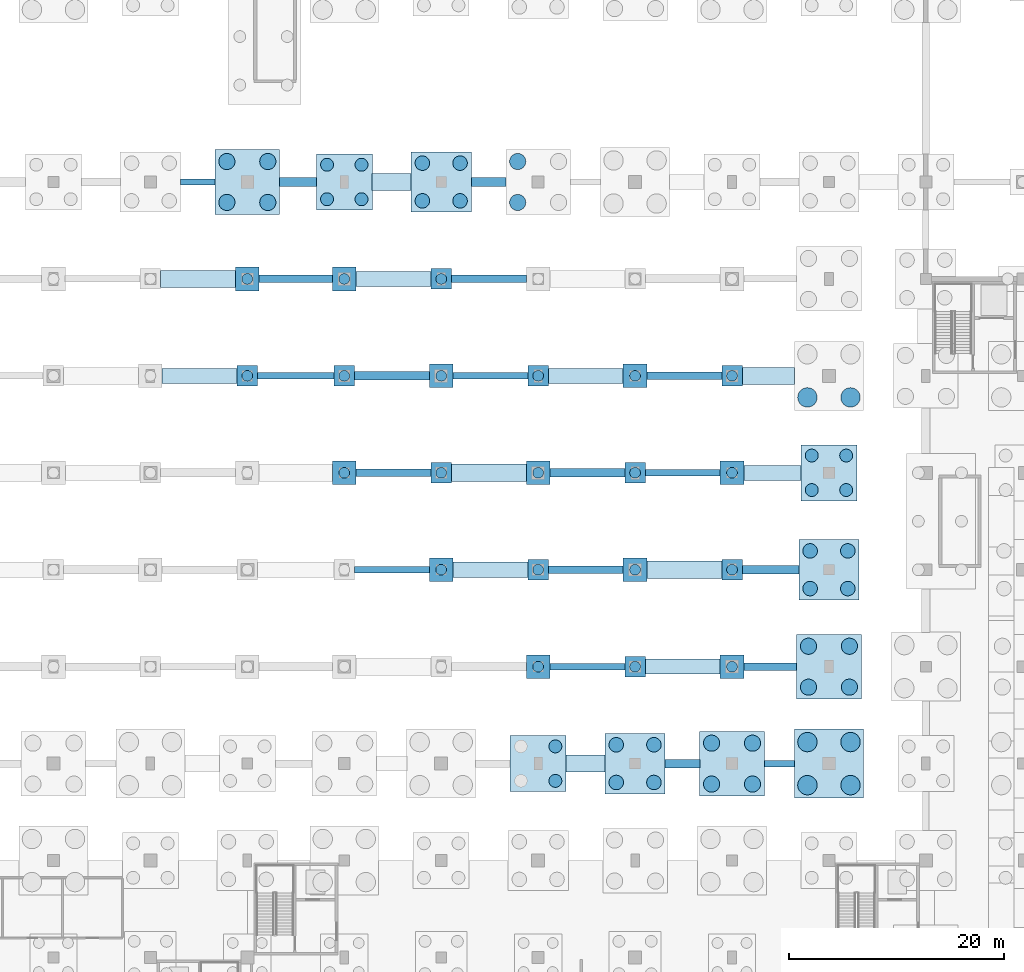
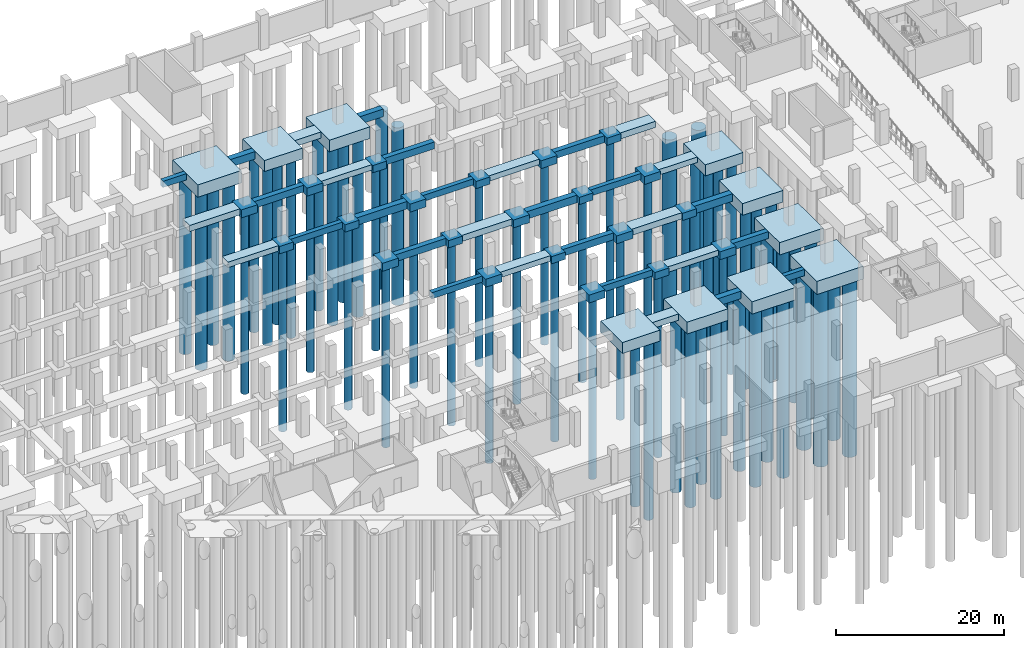
# One storey, part 6 of 37: 63 piles, 62 footings.
"""IFC4 building model written with IfcOpenShell, lengths in metres."""

from ifc_helpers import new_model, si_unit, direction, frame, origin, origin_2d, place, context, subcontext, project, spatial, rectangle, circle, extrude, material, material_profile, profile_set, type_object, element, save


model = new_model("IFC4")

# Units and contexts
model_context = context("Model", 3, precision=1e-05, world=origin(), true_north=direction((0.0, 1.0)))
body_context = subcontext(model_context, "Body", "Model", "MODEL_VIEW")
ifc_project = project(units=[si_unit("LENGTHUNIT", "METRE"), si_unit("AREAUNIT", "SQUARE_METRE"), si_unit("VOLUMEUNIT", "CUBIC_METRE"), si_unit("PLANEANGLEUNIT", "RADIAN"), si_unit("MASSUNIT", "GRAM", prefix="KILO")], contexts=[model_context])

# Site, building, storey
site_placement = place(None, origin())
site = spatial("IfcSite", under=ifc_project, at=site_placement, CompositionType="ELEMENT")
building_placement = place(site_placement, origin())
building = spatial("IfcBuilding", under=site, at=building_placement, Name="Barlavento Convention Centre", CompositionType="ELEMENT")
storey_placement = place(building_placement, frame((0.0, 0.0, -5.0)))
storey = spatial("IfcBuildingStorey", under=building, at=storey_placement, Name="B1", CompositionType="ELEMENT", Elevation=-5.0)

# Footings
ifc_material = material(Name="Concrete C40/50", Category="concrete")
footing_type_1 = type_object("IfcFootingType", Name="STR-FND-GB-600X900", PredefinedType="FOOTING_BEAM", material=ifc_material)
footing_1_placement = place(storey_placement, frame((58.39990234375, 117.0, -0.89990234375), z_axis=(0.0, 0.0, 1.0), x_axis=(1.0, 0.0, 0.0)))
element("IfcFooting", 1, at=footing_1_placement, inside=storey, type_object=footing_type_1, Name="Ground tie footing GB01", PredefinedType="FOOTING_BEAM", context=body_context, shape_type="SweptSolid", body=[
    extrude(rectangle(XDim=3.2099609375, YDim=0.60009765625, at=origin_2d()), origin(), (0.0, 0.0, 1.0), 0.89990234375),
])
footing_2_placement = place(storey_placement, frame((67.5, 99.0, -0.89990234375), z_axis=(0.0, 0.0, 1.0), x_axis=(1.0, 0.0, 0.0)))
element("IfcFooting", 2, at=footing_2_placement, inside=storey, type_object=footing_type_1, Name="Ground tie footing GB01", PredefinedType="FOOTING_BEAM", context=body_context, shape_type="SweptSolid", body=[
    extrude(rectangle(XDim=7.110107421875, YDim=0.60009765625, at=origin_2d()), origin(), (0.0, 0.0, 1.0), 0.89990234375),
])
for number, where, z_axis, x_axis, name in (
    (3, (76.425048828125, 81.0, -0.89990234375), (0.0, 0.0, 1.0), (1.0, 0.0, 0.0), "Ground tie footing GB01"),
    (4, (85.574951171875, 99.0, -0.89990234375), (0.0, 0.0, 1.0), (1.0, 0.0, 0.0), "Ground tie footing GB01"),
    (5, (94.574951171875, 72.0, -0.89990234375), (0.0, 0.0, 1.0), (1.0, 0.0, 0.0), "Ground tie footing GB01"),
    (6, (103.425048828125, 90.0, -0.89990234375), (0.0, 0.0, 1.0), (1.0, 0.0, 0.0), "Ground tie footing GB01"),
):
    element("IfcFooting", number, at=place(storey_placement, frame(where, z_axis=z_axis, x_axis=x_axis)), inside=storey, type_object=footing_type_1, Name=name, PredefinedType="FOOTING_BEAM", context=body_context, shape_type="SweptSolid", body=[
        extrude(rectangle(XDim=6.9599609375, YDim=0.60009765625, at=origin_2d()), origin(), (0.0, 0.0, 1.0), 0.89990234375),
    ])
footing_3_placement = place(storey_placement, frame((112.39990234375, 63.0, -0.89990234375), z_axis=(0.0, 0.0, 1.0), x_axis=(1.0, 0.0, 0.0)))
element("IfcFooting", 7, at=footing_3_placement, inside=storey, type_object=footing_type_1, Name="Ground tie footing GB01", PredefinedType="FOOTING_BEAM", context=body_context, shape_type="SweptSolid", body=[
    extrude(rectangle(XDim=2.81005859375, YDim=0.60009765625, at=origin_2d()), origin(), (0.0, 0.0, 1.0), 0.89990234375),
])
footing_type_2 = type_object("IfcFootingType", Name="STR-FND-GB-700X1000", PredefinedType="FOOTING_BEAM", material=ifc_material)
footing_4_placement = place(storey_placement, frame((67.5, 108.0, -1.0), z_axis=(0.0, 0.0, 1.0), x_axis=(1.0, 0.0, 0.0)))
element("IfcFooting", 8, at=footing_4_placement, inside=storey, type_object=footing_type_2, Name="Ground tie footing GB02", PredefinedType="FOOTING_BEAM", context=body_context, shape_type="SweptSolid", body=[
    extrude(rectangle(XDim=6.81005859375, YDim=0.699951171875, at=origin_2d()), origin(), (0.0, 0.0, 1.0), 1.0),
])
for number, where, z_axis, x_axis, name in (
    (9, (76.574951171875, 90.0, -1.0), (0.0, 0.0, 1.0), (1.0, 0.0, 0.0), "Ground tie footing GB02"),
    (10, (85.425048828125, 108.0, -1.0), (0.0, 0.0, 1.0), (1.0, 0.0, 0.0), "Ground tie footing GB02"),
    (11, (94.425048828125, 81.0, -1.0), (0.0, 0.0, 1.0), (1.0, 0.0, 0.0), "Ground tie footing GB02"),
    (12, (103.574951171875, 99.0, -1.0), (0.0, 0.0, 1.0), (1.0, 0.0, 0.0), "Ground tie footing GB02"),
):
    element("IfcFooting", number, at=place(storey_placement, frame(where, z_axis=z_axis, x_axis=x_axis)), inside=storey, type_object=footing_type_2, Name=name, PredefinedType="FOOTING_BEAM", context=body_context, shape_type="SweptSolid", body=[
        extrude(rectangle(XDim=6.9599609375, YDim=0.699951171875, at=origin_2d()), origin(), (0.0, 0.0, 1.0), 1.0),
    ])
footing_5_placement = place(storey_placement, frame((111.550048828125, 72.0, -1.0), z_axis=(0.0, 0.0, 1.0), x_axis=(1.0, 0.0, 0.0)))
element("IfcFooting", 13, at=footing_5_placement, inside=storey, type_object=footing_type_2, Name="Ground tie footing GB02", PredefinedType="FOOTING_BEAM", context=body_context, shape_type="SweptSolid", body=[
    extrude(rectangle(XDim=4.909912109375, YDim=0.699951171875, at=origin_2d()), origin(), (0.0, 0.0, 1.0), 1.0),
])
footing_type_3 = type_object("IfcFootingType", Name="STR-FND-GB-800X1100", PredefinedType="FOOTING_BEAM", material=ifc_material)
footing_6_placement = place(storey_placement, frame((67.699951171875, 117.0, -1.10009765625), z_axis=(0.0, 0.0, 1.0), x_axis=(1.0, 0.0, 0.0)))
element("IfcFooting", 14, at=footing_6_placement, inside=storey, type_object=footing_type_3, Name="Ground tie footing GB03", PredefinedType="FOOTING_BEAM", context=body_context, shape_type="SweptSolid", body=[
    extrude(rectangle(XDim=3.409912109375, YDim=0.800048828125, at=origin_2d()), origin(), (0.0, 0.0, 1.0), 1.10009765625),
])
footing_7_placement = place(storey_placement, frame((76.425048828125, 99.0, -1.10009765625), z_axis=(0.0, 0.0, 1.0), x_axis=(1.0, 0.0, 0.0)))
element("IfcFooting", 15, at=footing_7_placement, inside=storey, type_object=footing_type_3, Name="Ground tie footing GB03", PredefinedType="FOOTING_BEAM", context=body_context, shape_type="SweptSolid", body=[
    extrude(rectangle(XDim=6.9599609375, YDim=0.800048828125, at=origin_2d()), origin(), (0.0, 0.0, 1.0), 1.10009765625),
])
footing_8_placement = place(storey_placement, frame((85.39990234375, 117.0, -1.10009765625), z_axis=(0.0, 0.0, 1.0), x_axis=(1.0, 0.0, 0.0)))
element("IfcFooting", 16, at=footing_8_placement, inside=storey, type_object=footing_type_3, Name="Ground tie footing GB03", PredefinedType="FOOTING_BEAM", context=body_context, shape_type="SweptSolid", body=[
    extrude(rectangle(XDim=3.2099609375, YDim=0.800048828125, at=origin_2d()), origin(), (0.0, 0.0, 1.0), 1.10009765625),
])
footing_9_placement = place(storey_placement, frame((94.574951171875, 90.0, -1.10009765625), z_axis=(0.0, 0.0, 1.0), x_axis=(1.0, 0.0, 0.0)))
element("IfcFooting", 17, at=footing_9_placement, inside=storey, type_object=footing_type_3, Name="Ground tie footing GB03", PredefinedType="FOOTING_BEAM", context=body_context, shape_type="SweptSolid", body=[
    extrude(rectangle(XDim=6.9599609375, YDim=0.800048828125, at=origin_2d()), origin(), (0.0, 0.0, 1.0), 1.10009765625),
])
footing_10_placement = place(storey_placement, frame((103.39990234375, 63.0, -1.10009765625), z_axis=(0.0, 0.0, 1.0), x_axis=(1.0, 0.0, 0.0)))
element("IfcFooting", 18, at=footing_10_placement, inside=storey, type_object=footing_type_3, Name="Ground tie footing GB03", PredefinedType="FOOTING_BEAM", context=body_context, shape_type="SweptSolid", body=[
    extrude(rectangle(XDim=3.2099609375, YDim=0.800048828125, at=origin_2d()), origin(), (0.0, 0.0, 1.0), 1.10009765625),
])
footing_11_placement = place(storey_placement, frame((111.574951171875, 81.0, -1.10009765625), z_axis=(0.0, 0.0, 1.0), x_axis=(1.0, 0.0, 0.0)))
element("IfcFooting", 19, at=footing_11_placement, inside=storey, type_object=footing_type_3, Name="Ground tie footing GB03", PredefinedType="FOOTING_BEAM", context=body_context, shape_type="SweptSolid", body=[
    extrude(rectangle(XDim=5.260009765625, YDim=0.800048828125, at=origin_2d()), origin(), (0.0, 0.0, 1.0), 1.10009765625),
])
footing_type_4 = type_object("IfcFootingType", Name="STR-FND-PC1-1900", PredefinedType="PILE_CAP", material=ifc_material)
for number, where, z_axis, x_axis, name in (
    (20, (63.0, 99.0, -1.0498046875), (0.0, 0.0, 1.0), (1.0, 0.0, 0.0), "Pile cap PC01 at 8-M"),
    (21, (72.0, 99.0, -1.0498046875), (0.0, 0.0, 1.0), (1.0, 0.0, 0.0), "Pile cap PC01 at 9-M"),
    (22, (81.0, 90.0, -1.0498046875), (0.0, 0.0, 1.0), (1.0, 0.0, 0.0), "Pile cap PC01 at 10-L"),
    (23, (81.0, 108.0, -1.0498046875), (0.0, 0.0, 1.0), (1.0, 0.0, 0.0), "Pile cap PC01 at 10-N"),
    (24, (90.0, 81.0, -1.0498046875), (0.0, 0.0, 1.0), (1.0, 0.0, 0.0), "Pile cap PC01 at 11-K"),
    (25, (90.0, 99.0, -1.0498046875), (0.0, 0.0, 1.0), (1.0, 0.0, 0.0), "Pile cap PC01 at 11-M"),
    (26, (99.0, 72.0, -1.0498046875), (0.0, 0.0, 1.0), (1.0, 0.0, 0.0), "Pile cap PC01 at 12-J"),
    (27, (99.0, 90.0, -1.0498046875), (0.0, 0.0, 1.0), (1.0, 0.0, 0.0), "Pile cap PC01 at 12-L"),
    (28, (108.0, 81.0, -1.0498046875), (0.0, 0.0, 1.0), (1.0, 0.0, 0.0), "Pile cap PC01 at 13-K"),
    (29, (108.0, 99.0, -1.0498046875), (0.0, 0.0, 1.0), (1.0, 0.0, 0.0), "Pile cap PC01 at 13-M"),
):
    element("IfcFooting", number, at=place(storey_placement, frame(where, z_axis=z_axis, x_axis=x_axis)), inside=storey, type_object=footing_type_4, Name=name, PredefinedType="PILE_CAP", context=body_context, shape_type="SweptSolid", body=[
        extrude(rectangle(XDim=1.89990234375, YDim=1.89990234375, at=origin_2d()), origin(), (0.0, 0.0, 1.0), 1.050048828125),
    ])
footing_type_5 = type_object("IfcFootingType", Name="STR-FND-PC1-2200", PredefinedType="PILE_CAP", material=ifc_material)
for number, where, z_axis, x_axis, name in (
    (30, (63.0, 108.0, -1.14990234375), (0.0, 0.0, 1.0), (1.0, 0.0, 0.0), "Pile cap PC02 at 8-N"),
    (31, (72.0, 90.0, -1.14990234375), (0.0, 0.0, 1.0), (1.0, 0.0, 0.0), "Pile cap PC02 at 9-L"),
    (32, (72.0, 108.0, -1.14990234375), (0.0, 0.0, 1.0), (1.0, 0.0, 0.0), "Pile cap PC02 at 9-N"),
    (33, (81.0, 81.0, -1.14990234375), (0.0, 0.0, 1.0), (1.0, 0.0, 0.0), "Pile cap PC02 at 10-K"),
    (34, (81.0, 99.0, -1.14990234375), (0.0, 0.0, 1.0), (1.0, 0.0, 0.0), "Pile cap PC02 at 10-M"),
    (35, (90.0, 72.0, -1.14990234375), (0.0, 0.0, 1.0), (1.0, 0.0, 0.0), "Pile cap PC02 at 11-J"),
    (36, (90.0, 90.0, -1.14990234375), (0.0, 0.0, 1.0), (1.0, 0.0, 0.0), "Pile cap PC02 at 11-L"),
    (37, (99.0, 81.0, -1.14990234375), (0.0, 0.0, 1.0), (1.0, 0.0, 0.0), "Pile cap PC02 at 12-K"),
    (38, (99.0, 99.0, -1.14990234375), (0.0, 0.0, 1.0), (1.0, 0.0, 0.0), "Pile cap PC02 at 12-M"),
    (39, (108.0, 72.0, -1.14990234375), (0.0, 0.0, 1.0), (1.0, 0.0, 0.0), "Pile cap PC02 at 13-J"),
    (40, (108.0, 90.0, -1.14990234375), (0.0, 0.0, 1.0), (1.0, 0.0, 0.0), "Pile cap PC02 at 13-L"),
):
    element("IfcFooting", number, at=place(storey_placement, frame(where, z_axis=z_axis, x_axis=x_axis)), inside=storey, type_object=footing_type_5, Name=name, PredefinedType="PILE_CAP", context=body_context, shape_type="SweptSolid", body=[
        extrude(rectangle(XDim=2.199951171875, YDim=2.199951171875, at=origin_2d()), origin(), (0.0, 0.0, 1.0), 1.14990234375),
    ])
footing_type_6 = type_object("IfcFootingType", Name="STR-FND-PC4-5200", PredefinedType="PILE_CAP", material=ifc_material)
for number, where, z_axis, x_axis, name in (
    (41, (72.0, 117.0, -1.60009765625), (0.0, 0.0, 1.0), (1.0, 0.0, 0.0), "Pile cap PC09 at 9-P"),
    (42, (90.0, 63.0, -1.60009765625), (0.0, 0.0, 1.0), (1.0, 0.0, 0.0), "Pile cap PC09 at 11-H"),
    (43, (117.0, 90.0, -1.60009765625), (0.0, 0.0, 1.0), (1.0, 0.0, 0.0), "Pile cap PC09 at 14-L"),
):
    element("IfcFooting", number, at=place(storey_placement, frame(where, z_axis=z_axis, x_axis=x_axis)), inside=storey, type_object=footing_type_6, Name=name, PredefinedType="PILE_CAP", context=body_context, shape_type="SweptSolid", body=[
        extrude(rectangle(XDim=5.199951171875, YDim=5.199951171875, at=origin_2d()), origin(), (0.0, 0.0, 1.0), 1.60009765625),
    ])
footing_type_7 = type_object("IfcFootingType", Name="STR-FND-PC4-5600", PredefinedType="PILE_CAP", material=ifc_material)
for number, where, z_axis, x_axis, name in (
    (44, (81.0, 117.0, -1.7001953125), (0.0, 0.0, 1.0), (1.0, 0.0, 0.0), "Pile cap PC10 at 10-P"),
    (45, (99.0, 63.0, -1.7001953125), (0.0, 0.0, 1.0), (1.0, 0.0, 0.0), "Pile cap PC10 at 12-H"),
    (46, (117.0, 81.0, -1.7001953125), (0.0, 0.0, 1.0), (1.0, 0.0, 0.0), "Pile cap PC10 at 14-K"),
):
    element("IfcFooting", number, at=place(storey_placement, frame(where, z_axis=z_axis, x_axis=x_axis)), inside=storey, type_object=footing_type_7, Name=name, PredefinedType="PILE_CAP", context=body_context, shape_type="SweptSolid", body=[
        extrude(rectangle(XDim=5.60009765625, YDim=5.60009765625, at=origin_2d()), origin(), (0.0, 0.0, 1.0), 1.699951171875),
    ])
footing_type_8 = type_object("IfcFootingType", Name="STR-FND-PC4-6000", PredefinedType="PILE_CAP", material=ifc_material)
for number, where, z_axis, x_axis, name in (
    (47, (63.0, 117.0, -1.7998046875), (0.0, 0.0, 1.0), (1.0, 0.0, 0.0), "Pile cap PC11 at 8-P"),
    (48, (108.0, 63.0, -1.7998046875), (0.0, 0.0, 1.0), (1.0, 0.0, 0.0), "Pile cap PC11 at 13-H"),
    (49, (117.0, 72.0, -1.7998046875), (0.0, 0.0, 1.0), (1.0, 0.0, 0.0), "Pile cap PC11 at 14-J"),
):
    element("IfcFooting", number, at=place(storey_placement, frame(where, z_axis=z_axis, x_axis=x_axis)), inside=storey, type_object=footing_type_8, Name=name, PredefinedType="PILE_CAP", context=body_context, shape_type="SweptSolid", body=[
        extrude(rectangle(XDim=6.0, YDim=6.0, at=origin_2d()), origin(), (0.0, 0.0, 1.0), 1.800048828125),
    ])
footing_type_9 = type_object("IfcFootingType", Name="STR-FND-PC4-6400", PredefinedType="PILE_CAP", material=ifc_material)
footing_12_placement = place(storey_placement, frame((117.0, 63.0, -1.89990234375), z_axis=(0.0, 0.0, 1.0), x_axis=(1.0, 0.0, 0.0)))
element("IfcFooting", 50, at=footing_12_placement, inside=storey, type_object=footing_type_9, Name="Pile cap PC12 at 14-H", PredefinedType="PILE_CAP", context=body_context, shape_type="SweptSolid", body=[
    extrude(rectangle(XDim=6.39990234375, YDim=6.39990234375, at=origin_2d()), origin(), (0.0, 0.0, 1.0), 1.89990234375),
])
footing_type_10 = type_object("IfcFootingType", Name="STR-FND-SF-1400X800", PredefinedType="STRIP_FOOTING", material=ifc_material)
for number, where, z_axis, x_axis, name in (
    (51, (58.574951171875, 99.0, -0.7998046875), (0.0, 0.0, 1.0), (1.0, 0.0, 0.0), "Ground tie footing SF01"),
    (52, (76.574951171875, 108.0, -0.7998046875), (0.0, 0.0, 1.0), (1.0, 0.0, 0.0), "Ground tie footing SF01"),
    (53, (85.574951171875, 81.0, -0.7998046875), (0.0, 0.0, 1.0), (1.0, 0.0, 0.0), "Ground tie footing SF01"),
    (54, (94.425048828125, 99.0, -0.7998046875), (0.0, 0.0, 1.0), (1.0, 0.0, 0.0), "Ground tie footing SF01"),
    (55, (103.425048828125, 72.0, -0.7998046875), (0.0, 0.0, 1.0), (1.0, 0.0, 0.0), "Ground tie footing SF01"),
):
    element("IfcFooting", number, at=place(storey_placement, frame(where, z_axis=z_axis, x_axis=x_axis)), inside=storey, type_object=footing_type_10, Name=name, PredefinedType="STRIP_FOOTING", context=body_context, shape_type="SweptSolid", body=[
        extrude(rectangle(XDim=6.9599609375, YDim=1.39990234375, at=origin_2d()), origin(), (0.0, 0.0, 1.0), 0.800048828125),
    ])
footing_13_placement = place(storey_placement, frame((111.75, 90.0, -0.7998046875), z_axis=(0.0, 0.0, 1.0), x_axis=(1.0, 0.0, 0.0)))
element("IfcFooting", 56, at=footing_13_placement, inside=storey, type_object=footing_type_10, Name="Ground tie footing SF01", PredefinedType="STRIP_FOOTING", context=body_context, shape_type="SweptSolid", body=[
    extrude(rectangle(XDim=5.31005859375, YDim=1.39990234375, at=origin_2d()), origin(), (0.0, 0.0, 1.0), 0.800048828125),
])
footing_type_11 = type_object("IfcFootingType", Name="STR-FND-SF-1600X900", PredefinedType="STRIP_FOOTING", material=ifc_material)
footing_14_placement = place(storey_placement, frame((58.425048828125, 108.0, -0.89990234375), z_axis=(0.0, 0.0, 1.0), x_axis=(1.0, 0.0, 0.0)))
element("IfcFooting", 57, at=footing_14_placement, inside=storey, type_object=footing_type_11, Name="Ground tie footing SF02", PredefinedType="STRIP_FOOTING", context=body_context, shape_type="SweptSolid", body=[
    extrude(rectangle(XDim=6.9599609375, YDim=1.60009765625, at=origin_2d()), origin(), (0.0, 0.0, 1.0), 0.89990234375),
])
footing_15_placement = place(storey_placement, frame((76.39990234375, 117.0, -0.89990234375), z_axis=(0.0, 0.0, 1.0), x_axis=(1.0, 0.0, 0.0)))
element("IfcFooting", 58, at=footing_15_placement, inside=storey, type_object=footing_type_11, Name="Ground tie footing SF02", PredefinedType="STRIP_FOOTING", context=body_context, shape_type="SweptSolid", body=[
    extrude(rectangle(XDim=3.610107421875, YDim=1.60009765625, at=origin_2d()), origin(), (0.0, 0.0, 1.0), 0.89990234375),
])
footing_16_placement = place(storey_placement, frame((85.425048828125, 90.0, -0.89990234375), z_axis=(0.0, 0.0, 1.0), x_axis=(1.0, 0.0, 0.0)))
element("IfcFooting", 59, at=footing_16_placement, inside=storey, type_object=footing_type_11, Name="Ground tie footing SF02", PredefinedType="STRIP_FOOTING", context=body_context, shape_type="SweptSolid", body=[
    extrude(rectangle(XDim=6.9599609375, YDim=1.60009765625, at=origin_2d()), origin(), (0.0, 0.0, 1.0), 0.89990234375),
])
footing_17_placement = place(storey_placement, frame((94.39990234375, 63.0, -0.89990234375), z_axis=(0.0, 0.0, 1.0), x_axis=(1.0, 0.0, 0.0)))
element("IfcFooting", 60, at=footing_17_placement, inside=storey, type_object=footing_type_11, Name="Ground tie footing SF02", PredefinedType="STRIP_FOOTING", context=body_context, shape_type="SweptSolid", body=[
    extrude(rectangle(XDim=3.610107421875, YDim=1.60009765625, at=origin_2d()), origin(), (0.0, 0.0, 1.0), 0.89990234375),
])
footing_18_placement = place(storey_placement, frame((103.574951171875, 81.0, -0.89990234375), z_axis=(0.0, 0.0, 1.0), x_axis=(1.0, 0.0, 0.0)))
element("IfcFooting", 61, at=footing_18_placement, inside=storey, type_object=footing_type_11, Name="Ground tie footing SF02", PredefinedType="STRIP_FOOTING", context=body_context, shape_type="SweptSolid", body=[
    extrude(rectangle(XDim=6.9599609375, YDim=1.60009765625, at=origin_2d()), origin(), (0.0, 0.0, 1.0), 0.89990234375),
])
footing_19_placement = place(storey_placement, frame((111.375, 99.0, -0.89990234375), z_axis=(0.0, 0.0, 1.0), x_axis=(1.0, 0.0, 0.0)))
element("IfcFooting", 62, at=footing_19_placement, inside=storey, type_object=footing_type_11, Name="Ground tie footing SF02", PredefinedType="STRIP_FOOTING", context=body_context, shape_type="SweptSolid", body=[
    extrude(rectangle(XDim=4.860107421875, YDim=1.60009765625, at=origin_2d()), origin(), (0.0, 0.0, 1.0), 0.89990234375),
])

# Piles
ifc_material_profile_1 = material_profile(ifc_material, circle(Radius=0.5, at=origin_2d()), Name="BORED PILE 1000")
ifc_profile_set_1 = profile_set([ifc_material_profile_1], Name="Concrete C40/50")
pile_type_1 = type_object("IfcPileType", Name="STR-PIL-B1000", PredefinedType="BORED", material=ifc_profile_set_1)
pile_1_placement = place(storey_placement, frame((63.0, 99.0, -0.949951171875), z_axis=(0.0, 0.0, -1.0), x_axis=(1.0, 0.0, 0.0)))
element("IfcPile", 63, at=pile_1_placement, inside=storey, type_object=pile_type_1, Name="Bored pile P10 under FND-CAP-0115", PredefinedType="BORED", context=body_context, shape_type="SweptSolid", body=[
    extrude(circle(Radius=0.5, at=origin_2d()), origin(), (0.0, 0.0, 1.0), 26.550048828125),
])
for number, where, z_axis, x_axis, name in (
    (64, (63.0, 108.0, -1.050048828125), (0.0, 0.0, -1.0), (1.0, 0.0, 0.0), "Bored pile P10 under FND-CAP-0116"),
    (65, (72.0, 90.0, -1.050048828125), (0.0, 0.0, -1.0), (1.0, 0.0, 0.0), "Bored pile P10 under FND-CAP-0124"),
):
    element("IfcPile", number, at=place(storey_placement, frame(where, z_axis=z_axis, x_axis=x_axis)), inside=storey, type_object=pile_type_1, Name=name, PredefinedType="BORED", context=body_context, shape_type="SweptSolid", body=[
        extrude(circle(Radius=0.5, at=origin_2d()), origin(), (0.0, 0.0, 1.0), 26.449951171875),
    ])
pile_2_placement = place(storey_placement, frame((72.0, 99.0, -0.949951171875), z_axis=(0.0, 0.0, -1.0), x_axis=(1.0, 0.0, 0.0)))
element("IfcPile", 66, at=pile_2_placement, inside=storey, type_object=pile_type_1, Name="Bored pile P10 under FND-CAP-0125", PredefinedType="BORED", context=body_context, shape_type="SweptSolid", body=[
    extrude(circle(Radius=0.5, at=origin_2d()), origin(), (0.0, 0.0, 1.0), 26.550048828125),
])
for number, where, z_axis, x_axis, name in (
    (67, (72.0, 108.0, -1.050048828125), (0.0, 0.0, -1.0), (1.0, 0.0, 0.0), "Bored pile P10 under FND-CAP-0126"),
    (68, (81.0, 81.0, -1.050048828125), (0.0, 0.0, -1.0), (1.0, 0.0, 0.0), "Bored pile P10 under FND-CAP-0134"),
):
    element("IfcPile", number, at=place(storey_placement, frame(where, z_axis=z_axis, x_axis=x_axis)), inside=storey, type_object=pile_type_1, Name=name, PredefinedType="BORED", context=body_context, shape_type="SweptSolid", body=[
        extrude(circle(Radius=0.5, at=origin_2d()), origin(), (0.0, 0.0, 1.0), 26.449951171875),
    ])
pile_3_placement = place(storey_placement, frame((81.0, 90.0, -0.949951171875), z_axis=(0.0, 0.0, -1.0), x_axis=(1.0, 0.0, 0.0)))
element("IfcPile", 69, at=pile_3_placement, inside=storey, type_object=pile_type_1, Name="Bored pile P10 under FND-CAP-0135", PredefinedType="BORED", context=body_context, shape_type="SweptSolid", body=[
    extrude(circle(Radius=0.5, at=origin_2d()), origin(), (0.0, 0.0, 1.0), 26.550048828125),
])
pile_4_placement = place(storey_placement, frame((81.0, 99.0, -1.050048828125), z_axis=(0.0, 0.0, -1.0), x_axis=(1.0, 0.0, 0.0)))
element("IfcPile", 70, at=pile_4_placement, inside=storey, type_object=pile_type_1, Name="Bored pile P10 under FND-CAP-0136", PredefinedType="BORED", context=body_context, shape_type="SweptSolid", body=[
    extrude(circle(Radius=0.5, at=origin_2d()), origin(), (0.0, 0.0, 1.0), 26.449951171875),
])
pile_5_placement = place(storey_placement, frame((81.0, 108.0, -0.949951171875), z_axis=(0.0, 0.0, -1.0), x_axis=(1.0, 0.0, 0.0)))
element("IfcPile", 71, at=pile_5_placement, inside=storey, type_object=pile_type_1, Name="Bored pile P10 under FND-CAP-0137", PredefinedType="BORED", context=body_context, shape_type="SweptSolid", body=[
    extrude(circle(Radius=0.5, at=origin_2d()), origin(), (0.0, 0.0, 1.0), 26.550048828125),
])
pile_6_placement = place(storey_placement, frame((90.0, 72.0, -1.050048828125), z_axis=(0.0, 0.0, -1.0), x_axis=(1.0, 0.0, 0.0)))
element("IfcPile", 72, at=pile_6_placement, inside=storey, type_object=pile_type_1, Name="Bored pile P10 under FND-CAP-0144", PredefinedType="BORED", context=body_context, shape_type="SweptSolid", body=[
    extrude(circle(Radius=0.5, at=origin_2d()), origin(), (0.0, 0.0, 1.0), 26.449951171875),
])
pile_7_placement = place(storey_placement, frame((90.0, 81.0, -0.949951171875), z_axis=(0.0, 0.0, -1.0), x_axis=(1.0, 0.0, 0.0)))
element("IfcPile", 73, at=pile_7_placement, inside=storey, type_object=pile_type_1, Name="Bored pile P10 under FND-CAP-0145", PredefinedType="BORED", context=body_context, shape_type="SweptSolid", body=[
    extrude(circle(Radius=0.5, at=origin_2d()), origin(), (0.0, 0.0, 1.0), 26.550048828125),
])
pile_8_placement = place(storey_placement, frame((90.0, 90.0, -1.050048828125), z_axis=(0.0, 0.0, -1.0), x_axis=(1.0, 0.0, 0.0)))
element("IfcPile", 74, at=pile_8_placement, inside=storey, type_object=pile_type_1, Name="Bored pile P10 under FND-CAP-0146", PredefinedType="BORED", context=body_context, shape_type="SweptSolid", body=[
    extrude(circle(Radius=0.5, at=origin_2d()), origin(), (0.0, 0.0, 1.0), 26.449951171875),
])
for number, where, z_axis, x_axis, name in (
    (75, (90.0, 99.0, -0.949951171875), (0.0, 0.0, -1.0), (1.0, 0.0, 0.0), "Bored pile P10 under FND-CAP-0147"),
    (76, (99.0, 72.0, -0.949951171875), (0.0, 0.0, -1.0), (1.0, 0.0, 0.0), "Bored pile P10 under FND-CAP-0155"),
):
    element("IfcPile", number, at=place(storey_placement, frame(where, z_axis=z_axis, x_axis=x_axis)), inside=storey, type_object=pile_type_1, Name=name, PredefinedType="BORED", context=body_context, shape_type="SweptSolid", body=[
        extrude(circle(Radius=0.5, at=origin_2d()), origin(), (0.0, 0.0, 1.0), 26.550048828125),
    ])
pile_9_placement = place(storey_placement, frame((99.0, 81.0, -1.050048828125), z_axis=(0.0, 0.0, -1.0), x_axis=(1.0, 0.0, 0.0)))
element("IfcPile", 77, at=pile_9_placement, inside=storey, type_object=pile_type_1, Name="Bored pile P10 under FND-CAP-0156", PredefinedType="BORED", context=body_context, shape_type="SweptSolid", body=[
    extrude(circle(Radius=0.5, at=origin_2d()), origin(), (0.0, 0.0, 1.0), 26.449951171875),
])
pile_10_placement = place(storey_placement, frame((99.0, 90.0, -0.949951171875), z_axis=(0.0, 0.0, -1.0), x_axis=(1.0, 0.0, 0.0)))
element("IfcPile", 78, at=pile_10_placement, inside=storey, type_object=pile_type_1, Name="Bored pile P10 under FND-CAP-0157", PredefinedType="BORED", context=body_context, shape_type="SweptSolid", body=[
    extrude(circle(Radius=0.5, at=origin_2d()), origin(), (0.0, 0.0, 1.0), 26.550048828125),
])
for number, where, z_axis, x_axis, name in (
    (79, (99.0, 99.0, -1.050048828125), (0.0, 0.0, -1.0), (1.0, 0.0, 0.0), "Bored pile P10 under FND-CAP-0158"),
    (80, (108.0, 72.0, -1.050048828125), (0.0, 0.0, -1.0), (1.0, 0.0, 0.0), "Bored pile P10 under FND-CAP-0166"),
):
    element("IfcPile", number, at=place(storey_placement, frame(where, z_axis=z_axis, x_axis=x_axis)), inside=storey, type_object=pile_type_1, Name=name, PredefinedType="BORED", context=body_context, shape_type="SweptSolid", body=[
        extrude(circle(Radius=0.5, at=origin_2d()), origin(), (0.0, 0.0, 1.0), 26.449951171875),
    ])
pile_11_placement = place(storey_placement, frame((108.0, 81.0, -0.949951171875), z_axis=(0.0, 0.0, -1.0), x_axis=(1.0, 0.0, 0.0)))
element("IfcPile", 81, at=pile_11_placement, inside=storey, type_object=pile_type_1, Name="Bored pile P10 under FND-CAP-0167", PredefinedType="BORED", context=body_context, shape_type="SweptSolid", body=[
    extrude(circle(Radius=0.5, at=origin_2d()), origin(), (0.0, 0.0, 1.0), 26.550048828125),
])
pile_12_placement = place(storey_placement, frame((108.0, 90.0, -1.050048828125), z_axis=(0.0, 0.0, -1.0), x_axis=(1.0, 0.0, 0.0)))
element("IfcPile", 82, at=pile_12_placement, inside=storey, type_object=pile_type_1, Name="Bored pile P10 under FND-CAP-0168", PredefinedType="BORED", context=body_context, shape_type="SweptSolid", body=[
    extrude(circle(Radius=0.5, at=origin_2d()), origin(), (0.0, 0.0, 1.0), 26.449951171875),
])
pile_13_placement = place(storey_placement, frame((108.0, 99.0, -0.949951171875), z_axis=(0.0, 0.0, -1.0), x_axis=(1.0, 0.0, 0.0)))
element("IfcPile", 83, at=pile_13_placement, inside=storey, type_object=pile_type_1, Name="Bored pile P10 under FND-CAP-0169", PredefinedType="BORED", context=body_context, shape_type="SweptSolid", body=[
    extrude(circle(Radius=0.5, at=origin_2d()), origin(), (0.0, 0.0, 1.0), 26.550048828125),
])
ifc_material_profile_2 = material_profile(ifc_material, circle(Radius=0.60009765625, at=origin_2d()), Name="BORED PILE 1200")
ifc_profile_set_2 = profile_set([ifc_material_profile_2], Name="Concrete C40/50")
pile_type_2 = type_object("IfcPileType", Name="STR-PIL-B1200", PredefinedType="BORED", material=ifc_profile_set_2)
for number, where, z_axis, x_axis, name in (
    (84, (70.39990234375, 115.39990234375, -1.5), (0.0, 0.0, -1.0), (1.0, 0.0, 0.0), "Bored pile P12 under FND-CAP-0127"),
    (85, (73.60009765625, 115.39990234375, -1.5), (0.0, 0.0, -1.0), (1.0, 0.0, 0.0), "Bored pile P12 under FND-CAP-0127"),
    (86, (70.39990234375, 118.60009765625, -1.5), (0.0, 0.0, -1.0), (1.0, 0.0, 0.0), "Bored pile P12 under FND-CAP-0127"),
    (87, (73.60009765625, 118.60009765625, -1.5), (0.0, 0.0, -1.0), (1.0, 0.0, 0.0), "Bored pile P12 under FND-CAP-0127"),
    (88, (91.60009765625, 61.39990234375, -1.5), (0.0, 0.0, -1.0), (1.0, 0.0, 0.0), "Bored pile P12 under FND-CAP-0143"),
    (89, (91.60009765625, 64.60009765625, -1.5), (0.0, 0.0, -1.0), (1.0, 0.0, 0.0), "Bored pile P12 under FND-CAP-0143"),
    (90, (115.39990234375, 88.39990234375, -1.5), (0.0, 0.0, -1.0), (1.0, 0.0, 0.0), "Bored pile P12 under FND-CAP-0179"),
    (91, (118.60009765625, 88.39990234375, -1.5), (0.0, 0.0, -1.0), (1.0, 0.0, 0.0), "Bored pile P12 under FND-CAP-0179"),
    (92, (115.39990234375, 91.60009765625, -1.5), (0.0, 0.0, -1.0), (1.0, 0.0, 0.0), "Bored pile P12 under FND-CAP-0179"),
    (93, (118.60009765625, 91.60009765625, -1.5), (0.0, 0.0, -1.0), (1.0, 0.0, 0.0), "Bored pile P12 under FND-CAP-0179"),
):
    element("IfcPile", number, at=place(storey_placement, frame(where, z_axis=z_axis, x_axis=x_axis)), inside=storey, type_object=pile_type_2, Name=name, PredefinedType="BORED", context=body_context, shape_type="SweptSolid", body=[
        extrude(circle(Radius=0.60009765625, at=origin_2d()), origin(), (0.0, 0.0, 1.0), 26.0),
    ])
ifc_material_profile_3 = material_profile(ifc_material, circle(Radius=0.675048828125, at=origin_2d()), Name="BORED PILE 1350")
ifc_profile_set_3 = profile_set([ifc_material_profile_3], Name="Concrete C40/50")
pile_type_3 = type_object("IfcPileType", Name="STR-PIL-B1350", PredefinedType="BORED", material=ifc_profile_set_3)
for number, where, z_axis, x_axis, name in (
    (94, (79.25, 115.25, -1.60009765625), (0.0, 0.0, -1.0), (1.0, 0.0, 0.0), "Bored pile P13 under FND-CAP-0138"),
    (95, (82.75, 115.25, -1.60009765625), (0.0, 0.0, -1.0), (1.0, 0.0, 0.0), "Bored pile P13 under FND-CAP-0138"),
    (96, (79.25, 118.75, -1.60009765625), (0.0, 0.0, -1.0), (1.0, 0.0, 0.0), "Bored pile P13 under FND-CAP-0138"),
    (97, (82.75, 118.75, -1.60009765625), (0.0, 0.0, -1.0), (1.0, 0.0, 0.0), "Bored pile P13 under FND-CAP-0138"),
    (98, (97.25, 61.25, -1.60009765625), (0.0, 0.0, -1.0), (1.0, 0.0, 0.0), "Bored pile P13 under FND-CAP-0154"),
    (99, (100.75, 61.25, -1.60009765625), (0.0, 0.0, -1.0), (1.0, 0.0, 0.0), "Bored pile P13 under FND-CAP-0154"),
    (100, (97.25, 64.75, -1.60009765625), (0.0, 0.0, -1.0), (1.0, 0.0, 0.0), "Bored pile P13 under FND-CAP-0154"),
    (101, (100.75, 64.75, -1.60009765625), (0.0, 0.0, -1.0), (1.0, 0.0, 0.0), "Bored pile P13 under FND-CAP-0154"),
    (102, (115.25, 79.25, -1.60009765625), (0.0, 0.0, -1.0), (1.0, 0.0, 0.0), "Bored pile P13 under FND-CAP-0178"),
    (103, (118.75, 79.25, -1.60009765625), (0.0, 0.0, -1.0), (1.0, 0.0, 0.0), "Bored pile P13 under FND-CAP-0178"),
    (104, (115.25, 82.75, -1.60009765625), (0.0, 0.0, -1.0), (1.0, 0.0, 0.0), "Bored pile P13 under FND-CAP-0178"),
    (105, (118.75, 82.75, -1.60009765625), (0.0, 0.0, -1.0), (1.0, 0.0, 0.0), "Bored pile P13 under FND-CAP-0178"),
):
    element("IfcPile", number, at=place(storey_placement, frame(where, z_axis=z_axis, x_axis=x_axis)), inside=storey, type_object=pile_type_3, Name=name, PredefinedType="BORED", context=body_context, shape_type="SweptSolid", body=[
        extrude(circle(Radius=0.675048828125, at=origin_2d()), origin(), (0.0, 0.0, 1.0), 25.89990234375),
    ])
ifc_material_profile_4 = material_profile(ifc_material, circle(Radius=0.75, at=origin_2d()), Name="BORED PILE 1500")
ifc_profile_set_4 = profile_set([ifc_material_profile_4], Name="Concrete C40/50")
pile_type_4 = type_object("IfcPileType", Name="STR-PIL-B1500", PredefinedType="BORED", material=ifc_profile_set_4)
for number, where, z_axis, x_axis, name in (
    (106, (61.10009765625, 115.10009765625, -1.699951171875), (0.0, 0.0, -1.0), (1.0, 0.0, 0.0), "Bored pile P15 under FND-CAP-0117"),
    (107, (64.89990234375, 115.10009765625, -1.699951171875), (0.0, 0.0, -1.0), (1.0, 0.0, 0.0), "Bored pile P15 under FND-CAP-0117"),
    (108, (61.10009765625, 118.89990234375, -1.699951171875), (0.0, 0.0, -1.0), (1.0, 0.0, 0.0), "Bored pile P15 under FND-CAP-0117"),
    (109, (64.89990234375, 118.89990234375, -1.699951171875), (0.0, 0.0, -1.0), (1.0, 0.0, 0.0), "Bored pile P15 under FND-CAP-0117"),
    (110, (88.10009765625, 115.10009765625, -1.699951171875), (0.0, 0.0, -1.0), (1.0, 0.0, 0.0), "Bored pile P15 under FND-CAP-0149"),
    (111, (88.10009765625, 118.89990234375, -1.699951171875), (0.0, 0.0, -1.0), (1.0, 0.0, 0.0), "Bored pile P15 under FND-CAP-0149"),
    (112, (106.10009765625, 61.10009765625, -1.699951171875), (0.0, 0.0, -1.0), (1.0, 0.0, 0.0), "Bored pile P15 under FND-CAP-0165"),
    (113, (109.89990234375, 61.10009765625, -1.699951171875), (0.0, 0.0, -1.0), (1.0, 0.0, 0.0), "Bored pile P15 under FND-CAP-0165"),
    (114, (106.10009765625, 64.89990234375, -1.699951171875), (0.0, 0.0, -1.0), (1.0, 0.0, 0.0), "Bored pile P15 under FND-CAP-0165"),
    (115, (109.89990234375, 64.89990234375, -1.699951171875), (0.0, 0.0, -1.0), (1.0, 0.0, 0.0), "Bored pile P15 under FND-CAP-0165"),
    (116, (115.10009765625, 70.10009765625, -1.699951171875), (0.0, 0.0, -1.0), (1.0, 0.0, 0.0), "Bored pile P15 under FND-CAP-0177"),
    (117, (118.89990234375, 70.10009765625, -1.699951171875), (0.0, 0.0, -1.0), (1.0, 0.0, 0.0), "Bored pile P15 under FND-CAP-0177"),
    (118, (115.10009765625, 73.89990234375, -1.699951171875), (0.0, 0.0, -1.0), (1.0, 0.0, 0.0), "Bored pile P15 under FND-CAP-0177"),
    (119, (118.89990234375, 73.89990234375, -1.699951171875), (0.0, 0.0, -1.0), (1.0, 0.0, 0.0), "Bored pile P15 under FND-CAP-0177"),
):
    element("IfcPile", number, at=place(storey_placement, frame(where, z_axis=z_axis, x_axis=x_axis)), inside=storey, type_object=pile_type_4, Name=name, PredefinedType="BORED", context=body_context, shape_type="SweptSolid", body=[
        extrude(circle(Radius=0.75, at=origin_2d()), origin(), (0.0, 0.0, 1.0), 25.800048828125),
    ])
ifc_material_profile_5 = material_profile(ifc_material, circle(Radius=0.89990234375, at=origin_2d()), Name="BORED PILE 1800")
ifc_profile_set_5 = profile_set([ifc_material_profile_5], Name="Concrete C40/50")
pile_type_5 = type_object("IfcPileType", Name="STR-PIL-B1800", PredefinedType="BORED", material=ifc_profile_set_5)
for number, where, z_axis, x_axis, name in (
    (120, (115.0, 61.0, -1.800048828125), (0.0, 0.0, -1.0), (1.0, 0.0, 0.0), "Bored pile P18 under FND-CAP-0176"),
    (121, (119.0, 61.0, -1.800048828125), (0.0, 0.0, -1.0), (1.0, 0.0, 0.0), "Bored pile P18 under FND-CAP-0176"),
    (122, (115.0, 65.0, -1.800048828125), (0.0, 0.0, -1.0), (1.0, 0.0, 0.0), "Bored pile P18 under FND-CAP-0176"),
    (123, (119.0, 65.0, -1.800048828125), (0.0, 0.0, -1.0), (1.0, 0.0, 0.0), "Bored pile P18 under FND-CAP-0176"),
    (124, (115.0, 97.0, -1.800048828125), (0.0, 0.0, -1.0), (1.0, 0.0, 0.0), "Bored pile P18 under FND-CAP-0180"),
    (125, (119.0, 97.0, -1.800048828125), (0.0, 0.0, -1.0), (1.0, 0.0, 0.0), "Bored pile P18 under FND-CAP-0180"),
):
    element("IfcPile", number, at=place(storey_placement, frame(where, z_axis=z_axis, x_axis=x_axis)), inside=storey, type_object=pile_type_5, Name=name, PredefinedType="BORED", context=body_context, shape_type="SweptSolid", body=[
        extrude(circle(Radius=0.89990234375, at=origin_2d()), origin(), (0.0, 0.0, 1.0), 25.699951171875),
    ])

save(model, "model.ifc")
